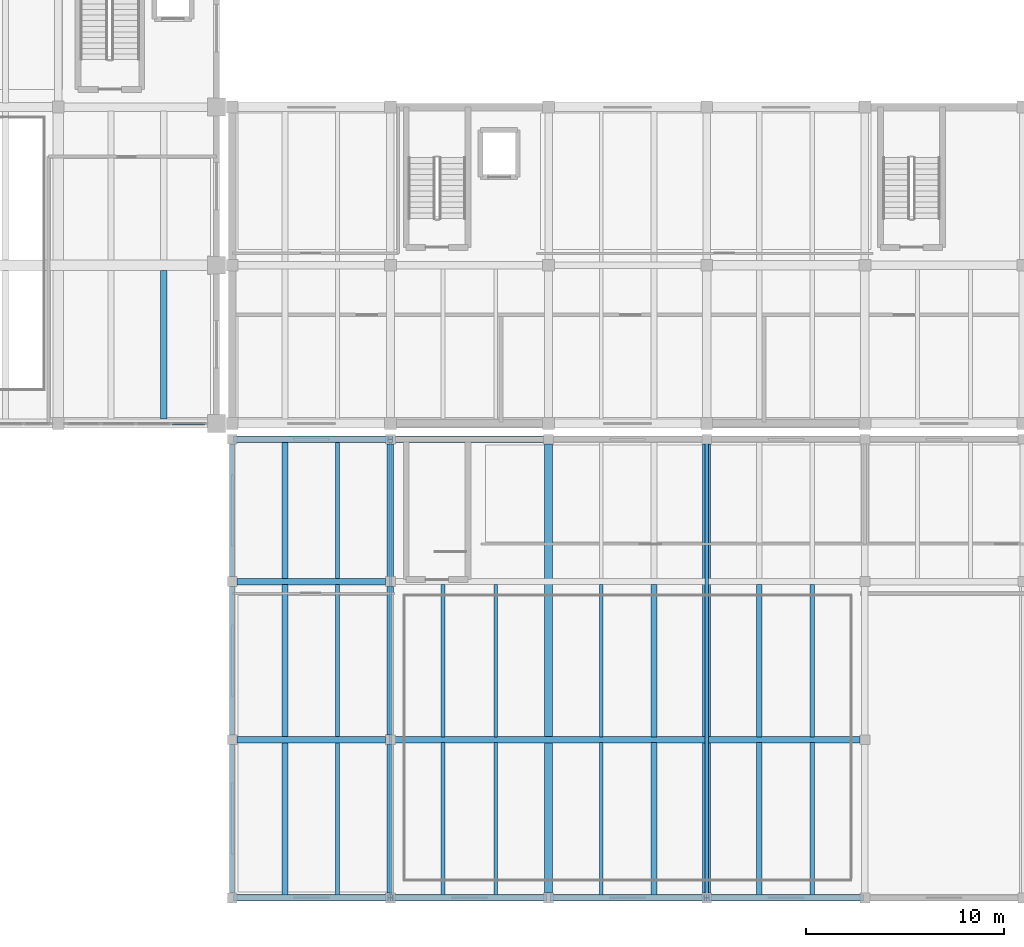
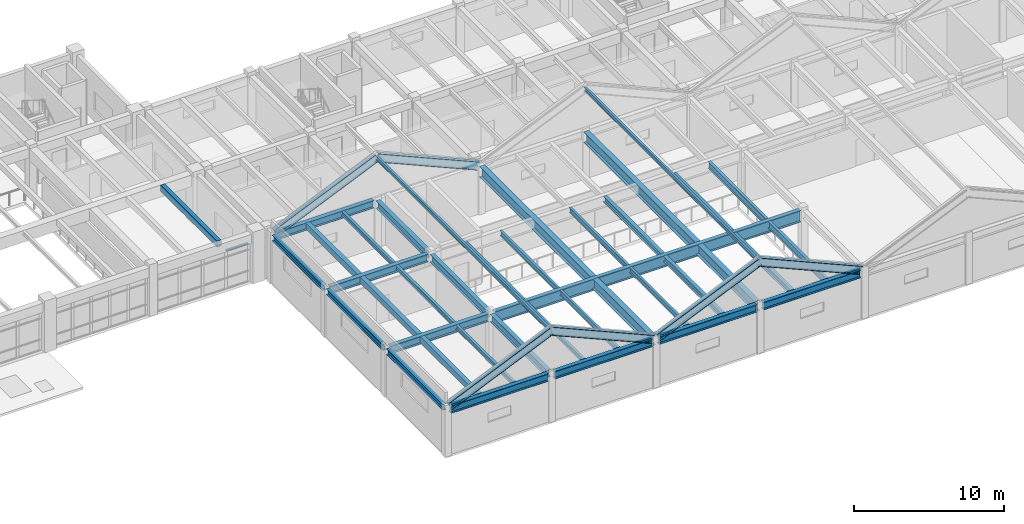
# One storey, part 13 of 67: 35 beams, 9 members, 1 element without a shape of its own.
"""IFC4 building model written with IfcOpenShell, lengths in metres."""

import ifcopenshell
import ifcopenshell.guid

model = None  # the IFC model being written
_history = None  # IfcOwnerHistory: only IFC2X3 demands one
_inside = {}  # id of a spatial element -> (the spatial element, [elements in it])
_under = {}  # id of a project, library or spatial element -> (it, [spatial elements below it])
_declared = {}  # id of a project -> (the project, [libraries it declares])
_typed = {}  # id of a type object -> (the type object, [elements of that type])
_made_of = {}  # id of a material, layer set ... -> (it, [elements and type objects made of it])


def new_model(schema):
    """Start an empty IFC model of exactly this schema.

    Asked for "IFC4X3", IfcOpenShell would pick the latest addendum, in which some entities
    have other attributes; the version numbers below select the first issue.
    IFC2X3 requires an IfcOwnerHistory on every rooted entity: one is made here for all.
    """
    global model, _history
    if schema == "IFC4X3":
        model = ifcopenshell.file(schema_version=(4, 3, 0, 0))
    else:
        model = ifcopenshell.file(schema=schema)
    _inside.clear()
    _under.clear()
    _declared.clear()
    _typed.clear()
    _made_of.clear()
    _history = None
    if model.schema == "IFC2X3":
        org = make("IfcOrganization", Name="unknown")
        user = make(
            "IfcPersonAndOrganization",
            ThePerson=make("IfcPerson", FamilyName="unknown"),
            TheOrganization=org,
        )
        app = make(
            "IfcApplication",
            ApplicationDeveloper=org,
            Version="unknown",
            ApplicationFullName="unknown",
            ApplicationIdentifier="unknown",
        )
        _history = make(
            "IfcOwnerHistory",
            OwningUser=user,
            OwningApplication=app,
            ChangeAction="ADDED",
            CreationDate=0,
        )
    return model


def make(cls, **values):
    """One entity of the class cls with the attributes given. An attribute that is None is left unset."""
    return model.create_entity(
        cls, **{name: value for name, value in values.items() if value is not None}
    )


def rooted(cls, **values):
    """An entity with a GlobalId (a new one), such as an element, a storey or a relation."""
    return make(cls, GlobalId=ifcopenshell.guid.new(), OwnerHistory=_history, **values)


def si_unit(unit_type, name, prefix=None):
    """IfcSIUnit, for example si_unit("LENGTHUNIT", "METRE", prefix="MILLI")."""
    return make("IfcSIUnit", UnitType=unit_type, Prefix=prefix, Name=name)


def assignment(units):
    """IfcUnitAssignment: the units of a project."""
    return None if units is None else make("IfcUnitAssignment", Units=units)


def point(xyz):
    """IfcCartesianPoint."""
    return None if xyz is None else make("IfcCartesianPoint", Coordinates=xyz)


def direction(xyz):
    """IfcDirection."""
    return None if xyz is None else make("IfcDirection", DirectionRatios=xyz)


def frame(location, z_axis=None, x_axis=None):
    """IfcAxis2Placement3D, a coordinate frame: its origin and axes. An axis left out is left unset."""
    return make(
        "IfcAxis2Placement3D",
        Location=point(location),
        Axis=direction(z_axis),
        RefDirection=direction(x_axis),
    )


def frame_2d(location, x_axis=None):
    """IfcAxis2Placement2D, a coordinate frame in the plane: its origin and x axis."""
    return make(
        "IfcAxis2Placement2D", Location=point(location), RefDirection=direction(x_axis)
    )


def origin():
    """The frame at (0, 0, 0) with its axes left unset."""
    return frame((0.0, 0.0, 0.0))


def origin_2d():
    """The frame at (0, 0) in the plane with its x axis left unset."""
    return frame_2d((0.0, 0.0))


def place(relative_to, where):
    """IfcLocalPlacement: puts the frame where relative to a parent placement (None: the world)."""
    return make(
        "IfcLocalPlacement", PlacementRelTo=relative_to, RelativePlacement=where
    )


def context(
    kind, dimensions, precision=None, world=None, true_north=None, identifier=None
):
    """IfcGeometricRepresentationContext, for example the 3D "Model" context."""
    return make(
        "IfcGeometricRepresentationContext",
        ContextIdentifier=identifier,
        ContextType=kind,
        CoordinateSpaceDimension=dimensions,
        Precision=precision,
        WorldCoordinateSystem=world,
        TrueNorth=true_north,
    )


def subcontext(parent, identifier, kind, view, scale=None):
    """IfcGeometricRepresentationSubContext, for example "Body" below "Model"."""
    return make(
        "IfcGeometricRepresentationSubContext",
        ContextIdentifier=identifier,
        ContextType=kind,
        ParentContext=parent,
        TargetScale=scale,
        TargetView=view,
    )


def project(units=None, contexts=None):
    """IfcProject with its units and contexts."""
    return rooted(
        "IfcProject",
        Name="project",
        RepresentationContexts=contexts,
        UnitsInContext=assignment(units),
    )


def spatial(cls, under=None, at=None, **own):
    """A site, building, storey or space (cls), placed at a placement, below another one or the project."""
    s = rooted(cls, ObjectPlacement=at, **own)
    if under is not None:
        _under.setdefault(under.id(), (under, []))[1].append(s)
    return s


def profile(cls, at=None, kind="AREA", **sizes):
    """A parametric profile (cls). Its sizes go by their IFC names, for example OverallWidth=200.0."""
    return make(cls, ProfileType=kind, Position=at, **sizes)


def rectangle(**sizes):
    """IfcRectangleProfileDef."""
    return profile("IfcRectangleProfileDef", **sizes)


def i_section(**sizes):
    """IfcIShapeProfileDef."""
    return profile("IfcIShapeProfileDef", **sizes)


def extrude(swept, where, along, depth):
    """IfcExtrudedAreaSolid: the profile swept, set in the frame where, extruded along a direction by depth."""
    return make(
        "IfcExtrudedAreaSolid",
        SweptArea=swept,
        Position=where,
        ExtrudedDirection=direction(along),
        Depth=depth,
    )


def shape(context_of_items, identifier, shape_type, items):
    """IfcShapeRepresentation: the items that make up one representation, for example the "Body"."""
    return make(
        "IfcShapeRepresentation",
        ContextOfItems=context_of_items,
        RepresentationIdentifier=identifier,
        RepresentationType=shape_type,
        Items=items,
    )


def material(Name=None, Category=None):
    """IfcMaterial."""
    return make("IfcMaterial", Name=Name, Category=Category)


def material_profile(
    of_material, cross_section, Name=None, Category=None, Priority=None
):
    """IfcMaterialProfile: a cross section and its material."""
    return make(
        "IfcMaterialProfile",
        Name=Name,
        Material=of_material,
        Profile=cross_section,
        Priority=Priority,
        Category=Category,
    )


def profile_set(profiles, Name=None, composite=None):
    """IfcMaterialProfileSet."""
    return make(
        "IfcMaterialProfileSet",
        Name=Name,
        MaterialProfiles=profiles,
        CompositeProfile=composite,
    )


def made_of(thing, what):
    """Note that an element or type object is made of a material, layer set ...; save() writes the relation."""
    if what is not None:
        _made_of.setdefault(what.id(), (what, []))[1].append(thing)
    return thing


def type_object(cls, material=None, **own):
    """A type object (cls), such as IfcWallType, which elements share."""
    return made_of(rooted(cls, **own), material)


def element(
    cls,
    number,
    at=None,
    inside=None,
    cuts=None,
    type_object=None,
    material=None,
    context=None,
    identifier="Body",
    shape_type=None,
    held_by="IfcProductDefinitionShape",
    body=None,
    shapes=None,
    **own,
):
    """One element of the class cls, such as IfcWall. Its Tag is "e" and its number.

    at: its placement. inside: the storey or other place that contains it. cuts: it is an
    opening in that element (IfcRelVoidsElement). A single representation is given by context,
    identifier, shape_type and body (its items); several are given by shapes. held_by: the class
    of the entity that holds the representations. save() writes the other relations.
    """
    e = rooted(cls, Tag="e%d" % number, ObjectPlacement=at, **own)
    if body is not None:
        shapes = [shape(context, identifier, shape_type, body)]
    if shapes is not None:
        e.Representation = make(held_by, Representations=shapes)
    if inside is not None:
        _inside.setdefault(inside.id(), (inside, []))[1].append(e)
    if cuts is not None:
        rooted(
            "IfcRelVoidsElement", RelatingBuildingElement=cuts, RelatedOpeningElement=e
        )
    if type_object is not None:
        _typed.setdefault(type_object.id(), (type_object, []))[1].append(e)
    return made_of(e, material)


def aggregate(whole, parts):
    """IfcRelAggregates: a whole, such as a stair, and the parts it consists of."""
    return rooted("IfcRelAggregates", RelatingObject=whole, RelatedObjects=parts)


def save(model, path):
    """Write the relations noted so far, then the file.

    IfcRelAggregates (storeys below a building ...), IfcRelContainedInSpatialStructure (elements
    in a storey), IfcRelDefinesByType, IfcRelAssociatesMaterial and IfcRelDeclares: one each for
    every whole, place, type object, material and project.
    """
    for whole, parts in _under.values():
        aggregate(whole, parts)
    for where, things in _inside.values():
        rooted(
            "IfcRelContainedInSpatialStructure",
            RelatedElements=things,
            RelatingStructure=where,
        )
    for kind, things in _typed.values():
        rooted("IfcRelDefinesByType", RelatedObjects=things, RelatingType=kind)
    for what, things in _made_of.values():
        rooted("IfcRelAssociatesMaterial", RelatedObjects=things, RelatingMaterial=what)
    for by, libraries in _declared.values():
        rooted("IfcRelDeclares", RelatingContext=by, RelatedDefinitions=libraries)
    model.write(path)


model = new_model("IFC4")

# Units and contexts
model_context = context("Model", 3, precision=1e-05, world=origin(), true_north=direction((0.0, 1.0)))
body_context = subcontext(model_context, "Body", "Model", "MODEL_VIEW")
ifc_project = project(units=[si_unit("LENGTHUNIT", "METRE"), si_unit("AREAUNIT", "SQUARE_METRE"), si_unit("VOLUMEUNIT", "CUBIC_METRE"), si_unit("PLANEANGLEUNIT", "RADIAN"), si_unit("MASSUNIT", "GRAM", prefix="KILO")], contexts=[model_context])

# Site, building, storey
site_placement = place(None, origin())
site = spatial("IfcSite", under=ifc_project, at=site_placement, CompositionType="ELEMENT")
building_placement = place(site_placement, origin())
building = spatial("IfcBuilding", under=site, at=building_placement, Name="Tlaxcora Railside Police Headquarters", CompositionType="ELEMENT")
storey_placement = place(building_placement, frame((0.0, 0.0, 4.800048828125)))
storey = spatial("IfcBuildingStorey", under=building, at=storey_placement, Name="L01", CompositionType="ELEMENT", Elevation=4.800048828125)

# Curtain wall, member
ifc_material_1 = material(Name="Thermally broken low-E insulated glazing", Category="glass")
curtain_wall_type = type_object("IfcCurtainWallType", Name="Unitised Curtain Wall Assembly CW-83", PredefinedType="NOTDEFINED", material=ifc_material_1)
curtain_wall_placement = place(storey_placement, origin())
curtain_wall = element("IfcCurtainWall", 1, at=curtain_wall_placement, inside=storey, type_object=curtain_wall_type, Name="V1 L01 curtain wall 11", PredefinedType="NOTDEFINED")
ifc_material_2 = material(Name="Anodised aluminium framing", Category="aluminium")
ifc_material_profile_1 = material_profile(ifc_material_2, rectangle(XDim=0.159912109375, YDim=0.080078125, at=origin_2d()), Name="AL80X160")
ifc_profile_set_1 = profile_set([ifc_material_profile_1], Name="Anodised aluminium framing")
member_type_1 = type_object("IfcMemberType", Name="Curtain Wall Transom CW-82", PredefinedType="USERDEFINED", material=ifc_profile_set_1)
member_placement = place(storey_placement, frame((99.75244140625, 36.0, 3.099853515625), z_axis=(1.0, 0.0, 0.0), x_axis=(0.0, 1.0, 0.0)))
member = element("IfcMember", 2, at=member_placement, type_object=member_type_1, Name="CW transom 4.4", ObjectType="TRANSOM", PredefinedType="USERDEFINED", context=body_context, shape_type="SweptSolid", body=[
    extrude(rectangle(XDim=0.159912109375, YDim=0.080078125, at=origin_2d()), origin(), (0.0, 0.0, 1.0), 1.66748046875),
])
aggregate(curtain_wall, [member])

# Beams
ifc_material_3 = material(Name="Steel ASTM A992 Grade 50", Category="steel")
ifc_material_profile_2 = material_profile(ifc_material_3, i_section(OverallWidth=0.280029296875, OverallDepth=0.4619140625, WebThickness=0.0107421875, FlangeThickness=0.017333984375, at=origin_2d()), Name="W18X76")
ifc_profile_set_2 = profile_set([ifc_material_profile_2], Name="Steel ASTM A992 Grade 50")
beam_type_1 = type_object("IfcBeamType", Name="Perimeter Spandrel Beam BM-33", PredefinedType="SPANDREL", material=ifc_profile_set_2)
for number, where, z_axis, x_axis, name in (
    (3, (102.800048828125, 12.239990234375, 3.718994140625), (0.0, 1.0, 0.0), (-1.0, 0.0, 0.0), "V3 L01 Y-girder X=102.8"),
    (4, (102.800048828125, 20.239990234375, 3.718994140625), (0.0, 1.0, 0.0), (-1.0, 0.0, 0.0), "V3 L01 Y-girder X=102.8"),
):
    element("IfcBeam", number, at=place(storey_placement, frame(where, z_axis=z_axis, x_axis=x_axis)), inside=storey, type_object=beam_type_1, Name=name, PredefinedType="SPANDREL", context=body_context, shape_type="SweptSolid", body=[
        extrude(i_section(OverallWidth=0.280029296875, OverallDepth=0.4619140625, WebThickness=0.0107421875, FlangeThickness=0.017333984375, at=origin_2d()), origin(), (0.0, 0.0, 1.0), 7.52001953125),
    ])
beam_1_placement = place(storey_placement, frame((102.800048828125, 28.239990234375, 3.718994140625), z_axis=(0.0, 1.0, 0.0), x_axis=(-1.0, 0.0, 0.0)))
element("IfcBeam", 5, at=beam_1_placement, inside=storey, type_object=beam_type_1, Name="V3 L01 Y-girder X=102.8", PredefinedType="SPANDREL", context=body_context, shape_type="SweptSolid", body=[
    extrude(i_section(OverallWidth=0.280029296875, OverallDepth=0.4619140625, WebThickness=0.0107421875, FlangeThickness=0.017333984375, at=origin_2d()), origin(), (0.0, 0.0, 1.0), 6.719970703125),
])
ifc_material_profile_3 = material_profile(ifc_material_3, i_section(OverallWidth=0.324951171875, OverallDepth=0.616943359375, WebThickness=0.013916015625, FlangeThickness=0.021484375, at=origin_2d()), Name="W24X117")
ifc_profile_set_3 = profile_set([ifc_material_profile_3], Name="Steel ASTM A992 Grade 50")
beam_type_2 = type_object("IfcBeamType", Name="Perimeter Spandrel Beam BM-60", PredefinedType="SPANDREL", material=ifc_profile_set_3)
for number, where, z_axis, x_axis, name in (
    (6, (103.0400390625, 12.0, 3.641357421875), (1.0, 0.0, 0.0), (0.0, 1.0, 0.0), "V3 L01 X-girder Y=12.0"),
    (7, (111.0400390625, 12.0, 3.641357421875), (1.0, 0.0, 0.0), (0.0, 1.0, 0.0), "V3 L01 X-girder Y=12.0"),
    (8, (119.0400390625, 12.0, 3.641357421875), (1.0, 0.0, 0.0), (0.0, 1.0, 0.0), "V3 L01 X-girder Y=12.0"),
    (9, (127.0400390625, 12.0, 3.641357421875), (1.0, 0.0, 0.0), (0.0, 1.0, 0.0), "V3 L01 X-girder Y=12.0"),
    (10, (103.0400390625, 35.199951171875, 3.641357421875), (1.0, 0.0, 0.0), (0.0, 1.0, 0.0), "V3 L01 X-girder Y=35.2"),
):
    element("IfcBeam", number, at=place(storey_placement, frame(where, z_axis=z_axis, x_axis=x_axis)), inside=storey, type_object=beam_type_2, Name=name, PredefinedType="SPANDREL", context=body_context, shape_type="SweptSolid", body=[
        extrude(i_section(OverallWidth=0.324951171875, OverallDepth=0.616943359375, WebThickness=0.013916015625, FlangeThickness=0.021484375, at=origin_2d()), origin(), (0.0, 0.0, 1.0), 7.52001953125),
    ])
ifc_material_profile_4 = material_profile(ifc_material_3, i_section(OverallWidth=0.403076171875, OverallDepth=0.868896484375, WebThickness=0.02099609375, FlangeThickness=0.03564453125, at=origin_2d()), Name="W33X241")
ifc_profile_set_4 = profile_set([ifc_material_profile_4], Name="Steel ASTM A992 Grade 50")
beam_type_3 = type_object("IfcBeamType", Name="Primary Frame Girder BM-45", PredefinedType="BEAM", material=ifc_profile_set_4)
for number, where, z_axis, x_axis, name in (
    (11, (118.800048828125, 12.239990234375, 3.515380859375), (0.0, 1.0, 0.0), (-1.0, 0.0, 0.0), "V3 L01 Y-girder X=118.8"),
    (12, (126.800048828125, 12.239990234375, 3.515380859375), (0.0, 1.0, 0.0), (-1.0, 0.0, 0.0), "V3 L01 Y-girder X=126.8"),
):
    element("IfcBeam", number, at=place(storey_placement, frame(where, z_axis=z_axis, x_axis=x_axis)), inside=storey, type_object=beam_type_3, Name=name, PredefinedType="BEAM", context=body_context, shape_type="SweptSolid", body=[
        extrude(i_section(OverallWidth=0.403076171875, OverallDepth=0.868896484375, WebThickness=0.02099609375, FlangeThickness=0.03564453125, at=origin_2d()), origin(), (0.0, 0.0, 1.0), 22.719970703125),
    ])
ifc_material_profile_5 = material_profile(ifc_material_3, i_section(OverallWidth=0.31005859375, OverallDepth=0.949951171875, WebThickness=0.0244140625, FlangeThickness=0.0439453125, at=origin_2d()), Name="W36X256")
ifc_profile_set_5 = profile_set([ifc_material_profile_5], Name="Steel ASTM A992 Grade 50")
beam_type_4 = type_object("IfcBeamType", Name="Primary Frame Girder BM-48", PredefinedType="BEAM", material=ifc_profile_set_5)
beam_2_placement = place(storey_placement, frame((111.0400390625, 20.0, 3.474853515625), z_axis=(1.0, 0.0, 0.0), x_axis=(0.0, 1.0, 0.0)))
element("IfcBeam", 13, at=beam_2_placement, inside=storey, type_object=beam_type_4, Name="V3 L01 X-girder Y=20.0", PredefinedType="BEAM", context=body_context, shape_type="SweptSolid", body=[
    extrude(i_section(OverallWidth=0.31005859375, OverallDepth=0.949951171875, WebThickness=0.0244140625, FlangeThickness=0.0439453125, at=origin_2d()), origin(), (0.0, 0.0, 1.0), 23.52001953125),
])
ifc_material_profile_6 = material_profile(ifc_material_3, i_section(OverallWidth=0.324951171875, OverallDepth=0.616943359375, WebThickness=0.013916015625, FlangeThickness=0.021484375, at=origin_2d()), Name="W24X117")
ifc_profile_set_6 = profile_set([ifc_material_profile_6], Name="Steel ASTM A992 Grade 50")
beam_type_5 = type_object("IfcBeamType", Name="Primary Frame Girder BM-72", PredefinedType="BEAM", material=ifc_profile_set_6)
for number, where, z_axis, x_axis, name in (
    (14, (110.800048828125, 12.239990234375, 3.641357421875), (0.0, 1.0, 0.0), (-1.0, 0.0, 0.0), "V3 L01 Y-girder X=110.8"),
    (15, (110.800048828125, 20.239990234375, 3.641357421875), (0.0, 1.0, 0.0), (-1.0, 0.0, 0.0), "V3 L01 Y-girder X=110.8"),
):
    element("IfcBeam", number, at=place(storey_placement, frame(where, z_axis=z_axis, x_axis=x_axis)), inside=storey, type_object=beam_type_5, Name=name, PredefinedType="BEAM", context=body_context, shape_type="SweptSolid", body=[
        extrude(i_section(OverallWidth=0.324951171875, OverallDepth=0.616943359375, WebThickness=0.013916015625, FlangeThickness=0.021484375, at=origin_2d()), origin(), (0.0, 0.0, 1.0), 7.52001953125),
    ])
beam_3_placement = place(storey_placement, frame((110.800048828125, 28.239990234375, 3.641357421875), z_axis=(0.0, 1.0, 0.0), x_axis=(-1.0, 0.0, 0.0)))
element("IfcBeam", 16, at=beam_3_placement, inside=storey, type_object=beam_type_5, Name="V3 L01 Y-girder X=110.8", PredefinedType="BEAM", context=body_context, shape_type="SweptSolid", body=[
    extrude(i_section(OverallWidth=0.324951171875, OverallDepth=0.616943359375, WebThickness=0.013916015625, FlangeThickness=0.021484375, at=origin_2d()), origin(), (0.0, 0.0, 1.0), 6.719970703125),
])
ifc_material_profile_7 = material_profile(ifc_material_3, i_section(OverallWidth=0.3291015625, OverallDepth=0.635009765625, WebThickness=0.017822265625, FlangeThickness=0.031005859375, at=origin_2d()), Name="W24X162")
ifc_profile_set_7 = profile_set([ifc_material_profile_7], Name="Steel ASTM A992 Grade 50")
beam_type_6 = type_object("IfcBeamType", Name="Primary Frame Girder BM-77", PredefinedType="BEAM", material=ifc_profile_set_7)
for number, where, z_axis, x_axis, name in (
    (17, (103.0400390625, 20.0, 3.632568359375), (1.0, 0.0, 0.0), (0.0, 1.0, 0.0), "V3 L01 X-girder Y=20.0"),
    (18, (103.0400390625, 28.0, 3.632568359375), (1.0, 0.0, 0.0), (0.0, 1.0, 0.0), "V3 L01 X-girder Y=28.0"),
):
    element("IfcBeam", number, at=place(storey_placement, frame(where, z_axis=z_axis, x_axis=x_axis)), inside=storey, type_object=beam_type_6, Name=name, PredefinedType="BEAM", context=body_context, shape_type="SweptSolid", body=[
        extrude(i_section(OverallWidth=0.3291015625, OverallDepth=0.635009765625, WebThickness=0.017822265625, FlangeThickness=0.031005859375, at=origin_2d()), origin(), (0.0, 0.0, 1.0), 7.52001953125),
    ])

# Members
ifc_material_profile_8 = material_profile(ifc_material_3, i_section(OverallWidth=0.1650390625, OverallDepth=0.31005859375, WebThickness=0.005859375, FlangeThickness=0.009765625, at=origin_2d()), Name="W12X26")
ifc_profile_set_8 = profile_set([ifc_material_profile_8], Name="Steel ASTM A992 Grade 50")
member_type_2 = type_object("IfcMemberType", Name="Roof Purlin Member MB-98", PredefinedType="PURLIN", material=ifc_profile_set_8)
for number, where, z_axis, x_axis, name in (
    (19, (110.800048828125, 12.0, 7.300048828125), (0.0, 1.0, 0.0), (-1.0, 0.0, 0.0), "V3 roof ridge purlin 1"),
    (20, (126.800048828125, 12.0, 7.300048828125), (0.0, 1.0, 0.0), (-1.0, 0.0, 0.0), "V3 roof ridge purlin 2"),
):
    element("IfcMember", number, at=place(storey_placement, frame(where, z_axis=z_axis, x_axis=x_axis)), inside=storey, type_object=member_type_2, Name=name, PredefinedType="PURLIN", context=body_context, shape_type="SweptSolid", body=[
        extrude(i_section(OverallWidth=0.1650390625, OverallDepth=0.31005859375, WebThickness=0.005859375, FlangeThickness=0.009765625, at=origin_2d()), origin(), (0.0, 0.0, 1.0), 23.199951171875),
    ])

# Beams
ifc_material_profile_9 = material_profile(ifc_material_3, i_section(OverallWidth=0.280029296875, OverallDepth=0.4619140625, WebThickness=0.0107421875, FlangeThickness=0.017333984375, at=origin_2d()), Name="W18X76")
ifc_profile_set_9 = profile_set([ifc_material_profile_9], Name="Steel ASTM A992 Grade 50")
beam_type_7 = type_object("IfcBeamType", Name="Secondary Floor Joist BM-44", PredefinedType="JOIST", material=ifc_profile_set_9)
for number, where, z_axis, x_axis, name in (
    (21, (124.13330078125, 12.154541015625, 3.718994140625), (0.0, 1.0, 0.0), (-1.0, 0.0, 0.0), "V3 L01 floor joist X=124.13"),
    (22, (129.466796875, 12.154541015625, 3.718994140625), (0.0, 1.0, 0.0), (-1.0, 0.0, 0.0), "V3 L01 floor joist X=129.47"),
):
    element("IfcBeam", number, at=place(storey_placement, frame(where, z_axis=z_axis, x_axis=x_axis)), inside=storey, type_object=beam_type_7, Name=name, PredefinedType="JOIST", context=body_context, shape_type="SweptSolid", body=[
        extrude(i_section(OverallWidth=0.280029296875, OverallDepth=0.4619140625, WebThickness=0.0107421875, FlangeThickness=0.017333984375, at=origin_2d()), origin(), (0.0, 0.0, 1.0), 7.698486328125),
    ])
for number, where, z_axis, x_axis, name in (
    (23, (124.13330078125, 20.14697265625, 3.718994140625), (0.0, 1.0, 0.0), (-1.0, 0.0, 0.0), "V3 L01 floor joist X=124.13"),
    (24, (129.466796875, 20.14697265625, 3.718994140625), (0.0, 1.0, 0.0), (-1.0, 0.0, 0.0), "V3 L01 floor joist X=129.47"),
):
    element("IfcBeam", number, at=place(storey_placement, frame(where, z_axis=z_axis, x_axis=x_axis)), inside=storey, type_object=beam_type_7, Name=name, PredefinedType="JOIST", context=body_context, shape_type="SweptSolid", body=[
        extrude(i_section(OverallWidth=0.280029296875, OverallDepth=0.4619140625, WebThickness=0.0107421875, FlangeThickness=0.017333984375, at=origin_2d()), origin(), (0.0, 0.0, 1.0), 7.7060546875),
    ])
ifc_material_profile_10 = material_profile(ifc_material_3, i_section(OverallWidth=0.2041015625, OverallDepth=0.35009765625, WebThickness=0.008544921875, FlangeThickness=0.01513671875, at=origin_2d()), Name="W14X48")
ifc_profile_set_10 = profile_set([ifc_material_profile_10], Name="Steel ASTM A992 Grade 50")
beam_type_8 = type_object("IfcBeamType", Name="Secondary Floor Joist BM-65", PredefinedType="JOIST", material=ifc_profile_set_10)
beam_4_placement = place(storey_placement, frame((108.13330078125, 12.154541015625, 3.77490234375), z_axis=(0.0, 1.0, 0.0), x_axis=(-1.0, 0.0, 0.0)))
element("IfcBeam", 25, at=beam_4_placement, inside=storey, type_object=beam_type_8, Name="V3 L01 floor joist X=108.13", PredefinedType="JOIST", context=body_context, shape_type="SweptSolid", body=[
    extrude(i_section(OverallWidth=0.2041015625, OverallDepth=0.35009765625, WebThickness=0.008544921875, FlangeThickness=0.01513671875, at=origin_2d()), origin(), (0.0, 0.0, 1.0), 7.68896484375),
])
beam_5_placement = place(storey_placement, frame((113.466796875, 12.154541015625, 3.77490234375), z_axis=(0.0, 1.0, 0.0), x_axis=(-1.0, 0.0, 0.0)))
element("IfcBeam", 26, at=beam_5_placement, inside=storey, type_object=beam_type_8, Name="V3 L01 floor joist X=113.47", PredefinedType="JOIST", context=body_context, shape_type="SweptSolid", body=[
    extrude(i_section(OverallWidth=0.2041015625, OverallDepth=0.35009765625, WebThickness=0.008544921875, FlangeThickness=0.01513671875, at=origin_2d()), origin(), (0.0, 0.0, 1.0), 7.698486328125),
])
beam_6_placement = place(storey_placement, frame((108.13330078125, 20.156494140625, 3.77490234375), z_axis=(0.0, 1.0, 0.0), x_axis=(-1.0, 0.0, 0.0)))
element("IfcBeam", 27, at=beam_6_placement, inside=storey, type_object=beam_type_8, Name="V3 L01 floor joist X=108.13", PredefinedType="JOIST", context=body_context, shape_type="SweptSolid", body=[
    extrude(i_section(OverallWidth=0.2041015625, OverallDepth=0.35009765625, WebThickness=0.008544921875, FlangeThickness=0.01513671875, at=origin_2d()), origin(), (0.0, 0.0, 1.0), 7.68701171875),
])
beam_7_placement = place(storey_placement, frame((113.466796875, 20.14697265625, 3.77490234375), z_axis=(0.0, 1.0, 0.0), x_axis=(-1.0, 0.0, 0.0)))
element("IfcBeam", 28, at=beam_7_placement, inside=storey, type_object=beam_type_8, Name="V3 L01 floor joist X=113.47", PredefinedType="JOIST", context=body_context, shape_type="SweptSolid", body=[
    extrude(i_section(OverallWidth=0.2041015625, OverallDepth=0.35009765625, WebThickness=0.008544921875, FlangeThickness=0.01513671875, at=origin_2d()), origin(), (0.0, 0.0, 1.0), 7.7060546875),
])
beam_8_placement = place(storey_placement, frame((108.13330078125, 28.156494140625, 3.77490234375), z_axis=(0.0, 1.0, 0.0), x_axis=(-1.0, 0.0, 0.0)))
element("IfcBeam", 29, at=beam_8_placement, inside=storey, type_object=beam_type_8, Name="V3 L01 floor joist X=108.13", PredefinedType="JOIST", context=body_context, shape_type="SweptSolid", body=[
    extrude(i_section(OverallWidth=0.2041015625, OverallDepth=0.35009765625, WebThickness=0.008544921875, FlangeThickness=0.01513671875, at=origin_2d()), origin(), (0.0, 0.0, 1.0), 6.888916015625),
])
ifc_material_profile_11 = material_profile(ifc_material_3, i_section(OverallWidth=0.180908203125, OverallDepth=0.4169921875, WebThickness=0.010009765625, FlangeThickness=0.018310546875, at=origin_2d()), Name="W16X57")
ifc_profile_set_11 = profile_set([ifc_material_profile_11], Name="Steel ASTM A992 Grade 50")
beam_type_9 = type_object("IfcBeamType", Name="Secondary Floor Joist BM-84", PredefinedType="JOIST", material=ifc_profile_set_11)
for number, where, z_axis, x_axis, name in (
    (30, (116.13330078125, 12.154541015625, 3.741455078125), (0.0, 1.0, 0.0), (-1.0, 0.0, 0.0), "V3 L01 floor joist X=116.13"),
    (31, (121.466796875, 12.154541015625, 3.741455078125), (0.0, 1.0, 0.0), (-1.0, 0.0, 0.0), "V3 L01 floor joist X=121.47"),
):
    element("IfcBeam", number, at=place(storey_placement, frame(where, z_axis=z_axis, x_axis=x_axis)), inside=storey, type_object=beam_type_9, Name=name, PredefinedType="JOIST", context=body_context, shape_type="SweptSolid", body=[
        extrude(i_section(OverallWidth=0.180908203125, OverallDepth=0.4169921875, WebThickness=0.010009765625, FlangeThickness=0.018310546875, at=origin_2d()), origin(), (0.0, 0.0, 1.0), 7.698486328125),
    ])
for number, where, z_axis, x_axis, name in (
    (32, (116.13330078125, 20.14697265625, 3.741455078125), (0.0, 1.0, 0.0), (-1.0, 0.0, 0.0), "V3 L01 floor joist X=116.13"),
    (33, (121.466796875, 20.14697265625, 3.741455078125), (0.0, 1.0, 0.0), (-1.0, 0.0, 0.0), "V3 L01 floor joist X=121.47"),
):
    element("IfcBeam", number, at=place(storey_placement, frame(where, z_axis=z_axis, x_axis=x_axis)), inside=storey, type_object=beam_type_9, Name=name, PredefinedType="JOIST", context=body_context, shape_type="SweptSolid", body=[
        extrude(i_section(OverallWidth=0.180908203125, OverallDepth=0.4169921875, WebThickness=0.010009765625, FlangeThickness=0.018310546875, at=origin_2d()), origin(), (0.0, 0.0, 1.0), 7.7060546875),
    ])
ifc_material_4 = material(Name="Concrete C35/45", Category="concrete")
ifc_material_profile_12 = material_profile(ifc_material_4, rectangle(XDim=0.320068359375, YDim=0.5, at=origin_2d()), Name="RC320X500")
ifc_profile_set_12 = profile_set([ifc_material_profile_12], Name="Concrete C35/45")
beam_type_10 = type_object("IfcBeamType", Name="Secondary Floor Joist BM-88", PredefinedType="JOIST", material=ifc_profile_set_12)
beam_9_placement = place(storey_placement, frame((99.333251953125, 36.217041015625, 3.659912109375), z_axis=(0.0, 1.0, 0.0), x_axis=(-1.0, 0.0, 0.0)))
element("IfcBeam", 34, at=beam_9_placement, inside=storey, type_object=beam_type_10, Name="V1 L01 floor joist X=99.33", PredefinedType="JOIST", context=body_context, shape_type="SweptSolid", body=[
    extrude(rectangle(XDim=0.320068359375, YDim=0.5, at=origin_2d()), origin(), (0.0, 0.0, 1.0), 7.515869140625),
])
beam_10_placement = place(storey_placement, frame((105.466796875, 12.154541015625, 3.699951171875), z_axis=(0.0, 1.0, 0.0), x_axis=(-1.0, 0.0, 0.0)))
element("IfcBeam", 35, at=beam_10_placement, inside=storey, type_object=beam_type_10, Name="V3 L01 floor joist X=105.47", PredefinedType="JOIST", context=body_context, shape_type="SweptSolid", body=[
    extrude(rectangle(XDim=0.320068359375, YDim=0.5, at=origin_2d()), origin(), (0.0, 0.0, 1.0), 7.68896484375),
])
beam_11_placement = place(storey_placement, frame((105.466796875, 20.156494140625, 3.699951171875), z_axis=(0.0, 1.0, 0.0), x_axis=(-1.0, 0.0, 0.0)))
element("IfcBeam", 36, at=beam_11_placement, inside=storey, type_object=beam_type_10, Name="V3 L01 floor joist X=105.47", PredefinedType="JOIST", context=body_context, shape_type="SweptSolid", body=[
    extrude(rectangle(XDim=0.320068359375, YDim=0.5, at=origin_2d()), origin(), (0.0, 0.0, 1.0), 7.68701171875),
])
beam_12_placement = place(storey_placement, frame((105.466796875, 28.156494140625, 3.699951171875), z_axis=(0.0, 1.0, 0.0), x_axis=(-1.0, 0.0, 0.0)))
element("IfcBeam", 37, at=beam_12_placement, inside=storey, type_object=beam_type_10, Name="V3 L01 floor joist X=105.47", PredefinedType="JOIST", context=body_context, shape_type="SweptSolid", body=[
    extrude(rectangle(XDim=0.320068359375, YDim=0.5, at=origin_2d()), origin(), (0.0, 0.0, 1.0), 6.888916015625),
])
ifc_material_profile_13 = material_profile(ifc_material_3, i_section(OverallWidth=0.214111328125, OverallDepth=0.549072265625, WebThickness=0.0146484375, FlangeThickness=0.023681640625, at=origin_2d()), Name="W21X93")
ifc_profile_set_13 = profile_set([ifc_material_profile_13], Name="Steel ASTM A992 Grade 50")
beam_type_11 = type_object("IfcBeamType", Name="Secondary Floor Joist BM-97", PredefinedType="JOIST", material=ifc_profile_set_13)
beam_13_placement = place(storey_placement, frame((132.13330078125, 12.154541015625, 3.675537109375), z_axis=(0.0, 1.0, 0.0), x_axis=(-1.0, 0.0, 0.0)))
element("IfcBeam", 38, at=beam_13_placement, inside=storey, type_object=beam_type_11, Name="V3 L01 floor joist X=132.13", PredefinedType="JOIST", context=body_context, shape_type="SweptSolid", body=[
    extrude(i_section(OverallWidth=0.214111328125, OverallDepth=0.549072265625, WebThickness=0.0146484375, FlangeThickness=0.023681640625, at=origin_2d()), origin(), (0.0, 0.0, 1.0), 7.698486328125),
])
beam_14_placement = place(storey_placement, frame((132.13330078125, 20.14697265625, 3.675537109375), z_axis=(0.0, 1.0, 0.0), x_axis=(-1.0, 0.0, 0.0)))
element("IfcBeam", 39, at=beam_14_placement, inside=storey, type_object=beam_type_11, Name="V3 L01 floor joist X=132.13", PredefinedType="JOIST", context=body_context, shape_type="SweptSolid", body=[
    extrude(i_section(OverallWidth=0.214111328125, OverallDepth=0.549072265625, WebThickness=0.0146484375, FlangeThickness=0.023681640625, at=origin_2d()), origin(), (0.0, 0.0, 1.0), 7.7060546875),
])

# Members
ifc_material_profile_14 = material_profile(ifc_material_3, i_section(OverallWidth=0.3291015625, OverallDepth=0.635009765625, WebThickness=0.017822265625, FlangeThickness=0.031005859375, at=origin_2d()), Name="W24X162")
ifc_profile_set_14 = profile_set([ifc_material_profile_14], Name="Steel ASTM A992 Grade 50")
member_type_3 = type_object("IfcMemberType", Name="Truss Chord Member MB-35", PredefinedType="CHORD", material=ifc_profile_set_14)
for number, where, z_axis, x_axis, name in (
    (40, (103.0, 12.0, 3.89990234375), (0.91669057491, 0.0, 0.399597785119), (0.0, 1.0, 0.0), "V3 gable rafter 1W"),
    (41, (118.60009765625, 12.0, 3.89990234375), (-0.91669057491, 0.0, 0.399597785119), (0.0, -1.0, 0.0), "V3 gable rafter 1E"),
    (42, (103.0, 35.199951171875, 3.89990234375), (0.91669057491, 0.0, 0.399597785119), (0.0, 1.0, 0.0), "V3 gable rafter 1W"),
    (43, (118.60009765625, 35.199951171875, 3.89990234375), (-0.91669057491, 0.0, 0.399597785119), (0.0, -1.0, 0.0), "V3 gable rafter 1E"),
    (44, (119.0, 12.0, 3.89990234375), (0.91669057491, 0.0, 0.399597785119), (0.0, 1.0, 0.0), "V3 gable rafter 2W"),
    (45, (134.60009765625, 12.0, 3.89990234375), (-0.91669057491, 0.0, 0.399597785119), (0.0, -1.0, 0.0), "V3 gable rafter 2E"),
):
    element("IfcMember", number, at=place(storey_placement, frame(where, z_axis=z_axis, x_axis=x_axis)), inside=storey, type_object=member_type_3, Name=name, PredefinedType="CHORD", context=body_context, shape_type="SweptSolid", body=[
        extrude(i_section(OverallWidth=0.3291015625, OverallDepth=0.635009765625, WebThickness=0.017822265625, FlangeThickness=0.031005859375, at=origin_2d()), origin(), (0.0, 0.0, 1.0), 8.509033203125),
    ])

save(model, "model.ifc")
